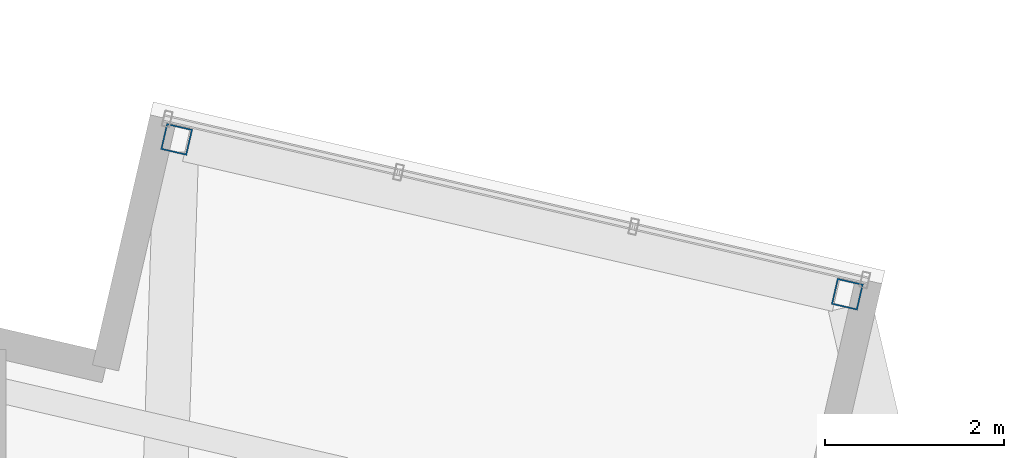
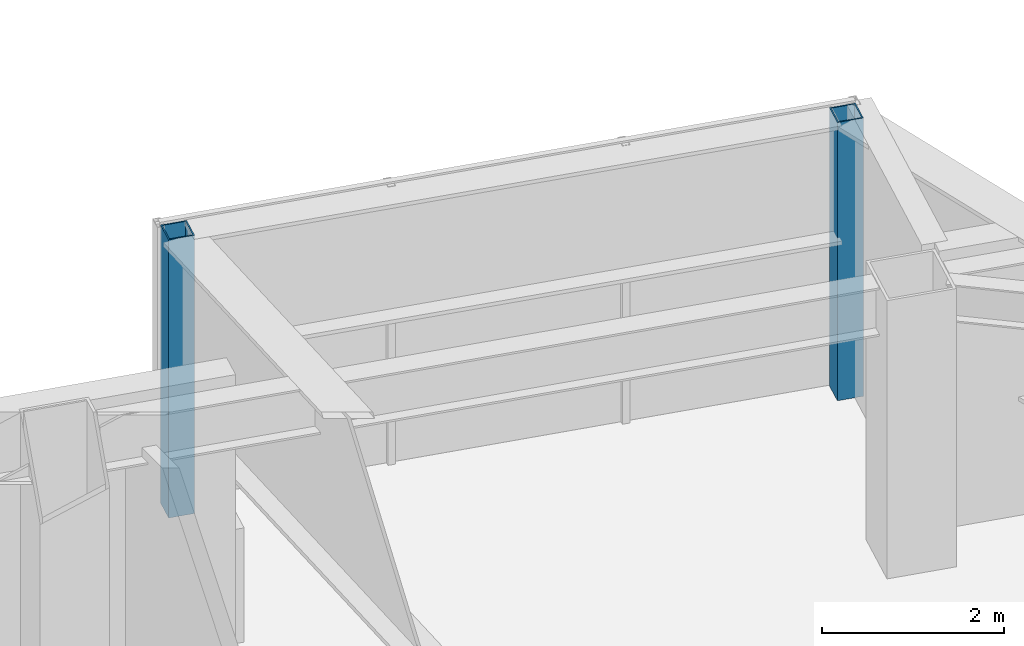
# One storey, part 2 of 23: 2 columns.
"""IFC4 building model written with IfcOpenShell, lengths in metres."""

from ifc_helpers import new_model, si_unit, direction, frame, origin, origin_2d, place, context, subcontext, project, spatial, hollow_rectangle, extrude, material, material_profile, profile_set, type_object, element, save


model = new_model("IFC4")

# Units and contexts
model_context = context("Model", 3, precision=1e-05, world=origin(), true_north=direction((0.0, 1.0)))
body_context = subcontext(model_context, "Body", "Model", "MODEL_VIEW")
ifc_project = project(units=[si_unit("LENGTHUNIT", "METRE"), si_unit("AREAUNIT", "SQUARE_METRE"), si_unit("VOLUMEUNIT", "CUBIC_METRE"), si_unit("PLANEANGLEUNIT", "RADIAN"), si_unit("MASSUNIT", "GRAM", prefix="KILO")], contexts=[model_context])

# Site, building, storey
site_placement = place(None, origin())
site = spatial("IfcSite", under=ifc_project, at=site_placement, CompositionType="ELEMENT")
building_placement = place(site_placement, origin())
building = spatial("IfcBuilding", under=site, at=building_placement, Name="Tavrogorsk Clinical Tower", CompositionType="ELEMENT")
storey_placement = place(building_placement, frame((0.0, 0.0, 63.39990234375)))
storey = spatial("IfcBuildingStorey", under=building, at=storey_placement, Name="L13", CompositionType="ELEMENT", Elevation=63.39990234375)

# Columns
ifc_material = material(Name="Structural steel S390", Category="steel")
ifc_material_profile = material_profile(ifc_material, hollow_rectangle(XDim=0.300048828125, YDim=0.300048828125, WallThickness=0.01611328125, at=origin_2d()), Name="SHS-300x300x16")
ifc_profile_set = profile_set([ifc_material_profile], Name="Structural steel S390")
column_type = type_object("IfcColumnType", Name="DayroomCol_SHS300", PredefinedType="COLUMN", material=ifc_profile_set)
for number, where, z_axis, x_axis, name in (
    (1, (10.887939453125, 23.971435546875, 0.0), (0.0, 0.0, 1.0), (0.974370064785, -0.224951054344, 0.0), "L13 Day-Room Box Column DRB-02-L"),
    (2, (18.390625, 22.2392578125, 0.0), (0.0, 0.0, 1.0), (0.974370064785, -0.224951054344, 0.0), "L13 Day-Room Box Column DRB-02-R"),
):
    element("IfcColumn", number, at=place(storey_placement, frame(where, z_axis=z_axis, x_axis=x_axis)), inside=storey, type_object=column_type, Name=name, PredefinedType="COLUMN", context=body_context, shape_type="SweptSolid", body=[
        extrude(hollow_rectangle(XDim=0.300048828125, YDim=0.300048828125, WallThickness=0.01611328125, at=origin_2d()), origin(), (0.0, 0.0, 1.0), 3.739990234375),
    ])

save(model, "model.ifc")
